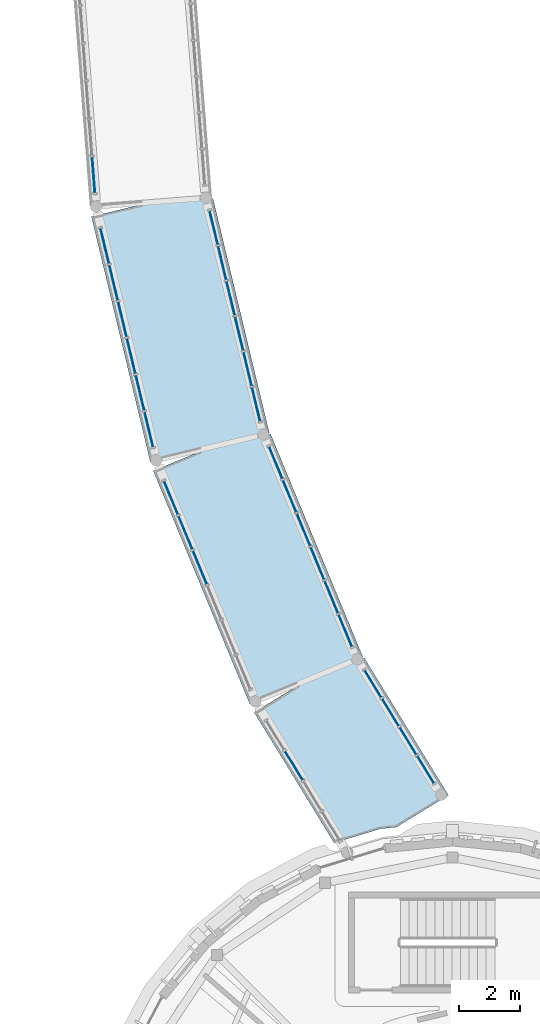
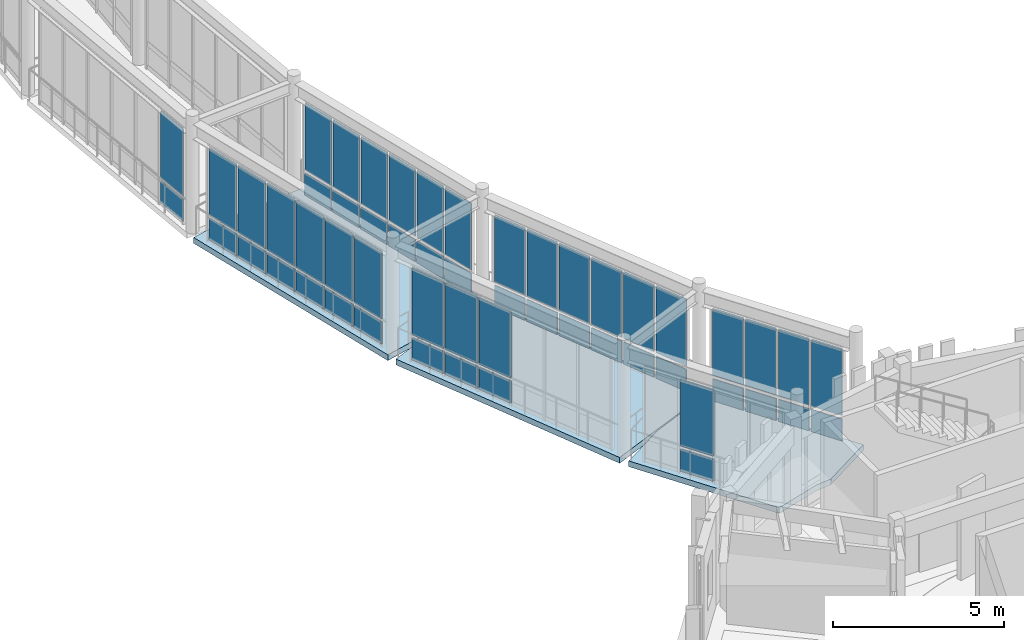
# One storey, part 39 of 80: 54 plates, 3 slabs, 7 elements without a shape of their own.
"""IFC4 building model written with IfcOpenShell, lengths in metres."""

from ifc_helpers import new_model, si_unit, direction, frame, origin, origin_2d, place, context, subcontext, project, spatial, polyline, rectangle, outline, extrude, material, layer, layer_set, type_object, element, aggregate, save


model = new_model("IFC4")

# Units and contexts
model_context = context("Model", 3, precision=1e-05, world=origin(), true_north=direction((0.0, 1.0)))
body_context = subcontext(model_context, "Body", "Model", "MODEL_VIEW")
ifc_project = project(units=[si_unit("LENGTHUNIT", "METRE"), si_unit("AREAUNIT", "SQUARE_METRE"), si_unit("VOLUMEUNIT", "CUBIC_METRE"), si_unit("PLANEANGLEUNIT", "RADIAN"), si_unit("MASSUNIT", "GRAM", prefix="KILO")], contexts=[model_context])

# Site, building, storey
site_placement = place(None, origin())
site = spatial("IfcSite", under=ifc_project, at=site_placement, CompositionType="ELEMENT")
building_placement = place(site_placement, origin())
building = spatial("IfcBuilding", under=site, at=building_placement, Name="Aldenvaro Health Centre", CompositionType="ELEMENT")
storey_placement = place(building_placement, frame((0.0, 0.0, 4.550048828125)))
storey = spatial("IfcBuildingStorey", under=building, at=storey_placement, Name="L01", CompositionType="ELEMENT", Elevation=4.550048828125)

# Curtain wall, plate
ifc_material_1 = material(Name="Anodised Aluminium 6063-T6", Category="aluminium")
ifc_layer_1 = layer(ifc_material_1, 0.2099609375, Name="Anodised Aluminium 6063-T6", Category="aluminium")
ifc_layer_set_1 = layer_set([ifc_layer_1], Name="Anodised Aluminium 6063-T6")
curtain_wall_type = type_object("IfcCurtainWallType", Name="CW-BRG-03", PredefinedType="NOTDEFINED", material=ifc_layer_set_1)
curtain_wall_1_placement = place(storey_placement, origin())
curtain_wall_1 = element("IfcCurtainWall", 1, at=curtain_wall_1_placement, inside=storey, type_object=curtain_wall_type, Name="East Curved Garden Colonnade Arc 5 L01 glazed link wall R-1.1", PredefinedType="NOTDEFINED")
ifc_material_2 = material(Name="Low-E Double Glazing IGU", Category="glass")
ifc_layer_2 = layer(ifc_material_2, 0.028076171875, Name="Low-E Double Glazing IGU", Category="glass")
ifc_layer_set_2 = layer_set([ifc_layer_2], Name="Low-E Double Glazing IGU")
plate_type_1 = type_object("IfcPlateType", Name="CWP-IGU-28", PredefinedType="CURTAIN_PANEL", material=ifc_layer_set_2)
plate_1_placement = place(storey_placement, frame((142.77099609375, 51.679931640625, 0.9599609375), z_axis=(0.0, 0.0, 1.0), x_axis=(0.078536330505, -0.996911252214, 0.0)))
plate_1 = element("IfcPlate", 2, at=plate_1_placement, type_object=plate_type_1, Name="East Curved Garden Colonnade Arc 5 L01 glazed link wall R-1.1 vision glazing 6", PredefinedType="CURTAIN_PANEL", context=body_context, shape_type="SweptSolid", body=[
    extrude(rectangle(XDim=1.1630859375, YDim=0.028076171875, at=origin_2d()), origin(), (0.0, 0.0, 1.0), 2.389892578125),
])

# Curtain wall, plates
curtain_wall_2_placement = place(storey_placement, origin())
curtain_wall_2 = element("IfcCurtainWall", 3, at=curtain_wall_2_placement, inside=storey, type_object=curtain_wall_type, Name="East Curved Garden Colonnade Arc 6 L01 glazed link wall L-1.1", PredefinedType="NOTDEFINED")
plate_2_placement = place(storey_placement, frame((146.697021484375, 49.9580078125, 0.9599609375), z_axis=(0.0, 0.0, 1.0), x_axis=(0.233510945903, -0.972354173202, 0.0)))
plate_2 = element("IfcPlate", 4, at=plate_2_placement, type_object=plate_type_1, Name="East Curved Garden Colonnade Arc 6 L01 glazed link wall L-1.1 vision glazing 1", PredefinedType="CURTAIN_PANEL", context=body_context, shape_type="SweptSolid", body=[
    extrude(rectangle(XDim=1.117919921875, YDim=0.028076171875, at=origin_2d()), origin(), (0.0, 0.0, 1.0), 2.389892578125),
])
plate_3_placement = place(storey_placement, frame((146.97412109375, 48.802978515625, 0.9599609375), z_axis=(0.0, 0.0, 1.0), x_axis=(0.233510945903, -0.972354173202, 0.0)))
plate_3 = element("IfcPlate", 5, at=plate_3_placement, type_object=plate_type_1, Name="East Curved Garden Colonnade Arc 6 L01 glazed link wall L-1.1 vision glazing 2", PredefinedType="CURTAIN_PANEL", context=body_context, shape_type="SweptSolid", body=[
    extrude(rectangle(XDim=1.117919921875, YDim=0.028076171875, at=origin_2d()), origin(), (0.0, 0.0, 1.0), 2.389892578125),
])
plate_4_placement = place(storey_placement, frame((147.2509765625, 47.64794921875, 0.9599609375), z_axis=(0.0, 0.0, 1.0), x_axis=(0.233510945903, -0.972354173202, 0.0)))
plate_4 = element("IfcPlate", 6, at=plate_4_placement, type_object=plate_type_1, Name="East Curved Garden Colonnade Arc 6 L01 glazed link wall L-1.1 vision glazing 3", PredefinedType="CURTAIN_PANEL", context=body_context, shape_type="SweptSolid", body=[
    extrude(rectangle(XDim=1.117919921875, YDim=0.028076171875, at=origin_2d()), origin(), (0.0, 0.0, 1.0), 2.389892578125),
])
plate_5_placement = place(storey_placement, frame((147.529052734375, 46.492919921875, 0.9599609375), z_axis=(0.0, 0.0, 1.0), x_axis=(0.233510945903, -0.972354173202, 0.0)))
plate_5 = element("IfcPlate", 7, at=plate_5_placement, type_object=plate_type_1, Name="East Curved Garden Colonnade Arc 6 L01 glazed link wall L-1.1 vision glazing 4", PredefinedType="CURTAIN_PANEL", context=body_context, shape_type="SweptSolid", body=[
    extrude(rectangle(XDim=1.117919921875, YDim=0.028076171875, at=origin_2d()), origin(), (0.0, 0.0, 1.0), 2.389892578125),
])
plate_6_placement = place(storey_placement, frame((147.805908203125, 45.337890625, 0.9599609375), z_axis=(0.0, 0.0, 1.0), x_axis=(0.233510945903, -0.972354173202, 0.0)))
plate_6 = element("IfcPlate", 8, at=plate_6_placement, type_object=plate_type_1, Name="East Curved Garden Colonnade Arc 6 L01 glazed link wall L-1.1 vision glazing 5", PredefinedType="CURTAIN_PANEL", context=body_context, shape_type="SweptSolid", body=[
    extrude(rectangle(XDim=1.117919921875, YDim=0.028076171875, at=origin_2d()), origin(), (0.0, 0.0, 1.0), 2.389892578125),
])
plate_7_placement = place(storey_placement, frame((148.0830078125, 44.18310546875, 0.9599609375), z_axis=(0.0, 0.0, 1.0), x_axis=(0.233510945903, -0.972354173202, 0.0)))
plate_7 = element("IfcPlate", 9, at=plate_7_placement, type_object=plate_type_1, Name="East Curved Garden Colonnade Arc 6 L01 glazed link wall L-1.1 vision glazing 6", PredefinedType="CURTAIN_PANEL", context=body_context, shape_type="SweptSolid", body=[
    extrude(rectangle(XDim=1.117919921875, YDim=0.028076171875, at=origin_2d()), origin(), (0.0, 0.0, 1.0), 2.389892578125),
])

curtain_wall_3_placement = place(storey_placement, origin())
curtain_wall_3 = element("IfcCurtainWall", 10, at=curtain_wall_3_placement, inside=storey, type_object=curtain_wall_type, Name="East Curved Garden Colonnade Arc 6 L01 glazed link wall R-1.1", PredefinedType="NOTDEFINED")
plate_8_placement = place(storey_placement, frame((143.137939453125, 49.35888671875, 0.9599609375), z_axis=(0.0, 0.0, 1.0), x_axis=(0.233587677429, -0.972335742917, 0.0)))
plate_8 = element("IfcPlate", 11, at=plate_8_placement, type_object=plate_type_1, Name="East Curved Garden Colonnade Arc 6 L01 glazed link wall R-1.1 vision glazing 1", PredefinedType="CURTAIN_PANEL", context=body_context, shape_type="SweptSolid", body=[
    extrude(rectangle(XDim=1.1630859375, YDim=0.028076171875, at=origin_2d()), origin(), (0.0, 0.0, 1.0), 2.389892578125),
])
plate_9_placement = place(storey_placement, frame((143.426025390625, 48.159912109375, 0.9599609375), z_axis=(0.0, 0.0, 1.0), x_axis=(0.233587677429, -0.972335742917, 0.0)))
plate_9 = element("IfcPlate", 12, at=plate_9_placement, type_object=plate_type_1, Name="East Curved Garden Colonnade Arc 6 L01 glazed link wall R-1.1 vision glazing 2", PredefinedType="CURTAIN_PANEL", context=body_context, shape_type="SweptSolid", body=[
    extrude(rectangle(XDim=1.1630859375, YDim=0.028076171875, at=origin_2d()), origin(), (0.0, 0.0, 1.0), 2.389892578125),
])
plate_10_placement = place(storey_placement, frame((143.714111328125, 46.9609375, 0.9599609375), z_axis=(0.0, 0.0, 1.0), x_axis=(0.233587677429, -0.972335742917, 0.0)))
plate_10 = element("IfcPlate", 13, at=plate_10_placement, type_object=plate_type_1, Name="East Curved Garden Colonnade Arc 6 L01 glazed link wall R-1.1 vision glazing 3", PredefinedType="CURTAIN_PANEL", context=body_context, shape_type="SweptSolid", body=[
    extrude(rectangle(XDim=1.1630859375, YDim=0.028076171875, at=origin_2d()), origin(), (0.0, 0.0, 1.0), 2.389892578125),
])
plate_11_placement = place(storey_placement, frame((144.001953125, 45.761962890625, 0.9599609375), z_axis=(0.0, 0.0, 1.0), x_axis=(0.233587677429, -0.972335742917, 0.0)))
plate_11 = element("IfcPlate", 14, at=plate_11_placement, type_object=plate_type_1, Name="East Curved Garden Colonnade Arc 6 L01 glazed link wall R-1.1 vision glazing 4", PredefinedType="CURTAIN_PANEL", context=body_context, shape_type="SweptSolid", body=[
    extrude(rectangle(XDim=1.1630859375, YDim=0.028076171875, at=origin_2d()), origin(), (0.0, 0.0, 1.0), 2.389892578125),
])
plate_12_placement = place(storey_placement, frame((144.2900390625, 44.56298828125, 0.9599609375), z_axis=(0.0, 0.0, 1.0), x_axis=(0.233587677429, -0.972335742917, 0.0)))
plate_12 = element("IfcPlate", 15, at=plate_12_placement, type_object=plate_type_1, Name="East Curved Garden Colonnade Arc 6 L01 glazed link wall R-1.1 vision glazing 5", PredefinedType="CURTAIN_PANEL", context=body_context, shape_type="SweptSolid", body=[
    extrude(rectangle(XDim=1.1630859375, YDim=0.028076171875, at=origin_2d()), origin(), (0.0, 0.0, 1.0), 2.389892578125),
])
plate_13_placement = place(storey_placement, frame((144.577880859375, 43.364013671875, 0.9599609375), z_axis=(0.0, 0.0, 1.0), x_axis=(0.233587677429, -0.972335742917, 0.0)))
plate_13 = element("IfcPlate", 16, at=plate_13_placement, type_object=plate_type_1, Name="East Curved Garden Colonnade Arc 6 L01 glazed link wall R-1.1 vision glazing 6", PredefinedType="CURTAIN_PANEL", context=body_context, shape_type="SweptSolid", body=[
    extrude(rectangle(XDim=1.1630859375, YDim=0.028076171875, at=origin_2d()), origin(), (0.0, 0.0, 1.0), 2.389892578125),
])

curtain_wall_4_placement = place(storey_placement, origin())
curtain_wall_4 = element("IfcCurtainWall", 17, at=curtain_wall_4_placement, inside=storey, type_object=curtain_wall_type, Name="East Curved Garden Colonnade Arc 7 L01 glazed link wall L-1.1", PredefinedType="NOTDEFINED")
plate_14_placement = place(storey_placement, frame((148.72412109375, 42.279052734375, 0.9599609375), z_axis=(0.0, 0.0, 1.0), x_axis=(0.382562426811, -0.923929645369, 0.0)))
plate_14 = element("IfcPlate", 18, at=plate_14_placement, type_object=plate_type_1, Name="East Curved Garden Colonnade Arc 7 L01 glazed link wall L-1.1 vision glazing 1", PredefinedType="CURTAIN_PANEL", context=body_context, shape_type="SweptSolid", body=[
    extrude(rectangle(XDim=1.117919921875, YDim=0.028076171875, at=origin_2d()), origin(), (0.0, 0.0, 1.0), 2.389892578125),
])
plate_15_placement = place(storey_placement, frame((149.178955078125, 41.180908203125, 0.9599609375), z_axis=(0.0, 0.0, 1.0), x_axis=(0.382562426811, -0.923929645369, 0.0)))
plate_15 = element("IfcPlate", 19, at=plate_15_placement, type_object=plate_type_1, Name="East Curved Garden Colonnade Arc 7 L01 glazed link wall L-1.1 vision glazing 2", PredefinedType="CURTAIN_PANEL", context=body_context, shape_type="SweptSolid", body=[
    extrude(rectangle(XDim=1.117919921875, YDim=0.028076171875, at=origin_2d()), origin(), (0.0, 0.0, 1.0), 2.389892578125),
])
plate_16_placement = place(storey_placement, frame((149.633056640625, 40.083984375, 0.9599609375), z_axis=(0.0, 0.0, 1.0), x_axis=(0.382562426811, -0.923929645369, 0.0)))
plate_16 = element("IfcPlate", 20, at=plate_16_placement, type_object=plate_type_1, Name="East Curved Garden Colonnade Arc 7 L01 glazed link wall L-1.1 vision glazing 3", PredefinedType="CURTAIN_PANEL", context=body_context, shape_type="SweptSolid", body=[
    extrude(rectangle(XDim=1.117919921875, YDim=0.028076171875, at=origin_2d()), origin(), (0.0, 0.0, 1.0), 2.389892578125),
])
plate_17_placement = place(storey_placement, frame((150.087890625, 38.986083984375, 0.9599609375), z_axis=(0.0, 0.0, 1.0), x_axis=(0.382562426811, -0.923929645369, 0.0)))
plate_17 = element("IfcPlate", 21, at=plate_17_placement, type_object=plate_type_1, Name="East Curved Garden Colonnade Arc 7 L01 glazed link wall L-1.1 vision glazing 4", PredefinedType="CURTAIN_PANEL", context=body_context, shape_type="SweptSolid", body=[
    extrude(rectangle(XDim=1.117919921875, YDim=0.028076171875, at=origin_2d()), origin(), (0.0, 0.0, 1.0), 2.389892578125),
])
plate_18_placement = place(storey_placement, frame((150.5419921875, 37.888916015625, 0.9599609375), z_axis=(0.0, 0.0, 1.0), x_axis=(0.382562426811, -0.923929645369, 0.0)))
plate_18 = element("IfcPlate", 22, at=plate_18_placement, type_object=plate_type_1, Name="East Curved Garden Colonnade Arc 7 L01 glazed link wall L-1.1 vision glazing 5", PredefinedType="CURTAIN_PANEL", context=body_context, shape_type="SweptSolid", body=[
    extrude(rectangle(XDim=1.117919921875, YDim=0.028076171875, at=origin_2d()), origin(), (0.0, 0.0, 1.0), 2.389892578125),
])
plate_19_placement = place(storey_placement, frame((150.9970703125, 36.791015625, 0.9599609375), z_axis=(0.0, 0.0, 1.0), x_axis=(0.382562426811, -0.923929645369, 0.0)))
plate_19 = element("IfcPlate", 23, at=plate_19_placement, type_object=plate_type_1, Name="East Curved Garden Colonnade Arc 7 L01 glazed link wall L-1.1 vision glazing 6", PredefinedType="CURTAIN_PANEL", context=body_context, shape_type="SweptSolid", body=[
    extrude(rectangle(XDim=1.117919921875, YDim=0.028076171875, at=origin_2d()), origin(), (0.0, 0.0, 1.0), 2.389892578125),
])

curtain_wall_5_placement = place(storey_placement, origin())
curtain_wall_5 = element("IfcCurtainWall", 24, at=curtain_wall_5_placement, inside=storey, type_object=curtain_wall_type, Name="East Curved Garden Colonnade Arc 7 L01 glazed link wall R-1.1", PredefinedType="NOTDEFINED")
plate_20_placement = place(storey_placement, frame((145.303955078125, 41.1298828125, 0.9599609375), z_axis=(0.0, 0.0, 1.0), x_axis=(0.382503002228, -0.923954248481, 0.0)))
plate_20 = element("IfcPlate", 25, at=plate_20_placement, type_object=plate_type_1, Name="East Curved Garden Colonnade Arc 7 L01 glazed link wall R-1.1 vision glazing 1", PredefinedType="CURTAIN_PANEL", context=body_context, shape_type="SweptSolid", body=[
    extrude(rectangle(XDim=1.1630859375, YDim=0.028076171875, at=origin_2d()), origin(), (0.0, 0.0, 1.0), 2.389892578125),
])
plate_21_placement = place(storey_placement, frame((145.77490234375, 39.990966796875, 0.9599609375), z_axis=(0.0, 0.0, 1.0), x_axis=(0.382503002228, -0.923954248481, 0.0)))
plate_21 = element("IfcPlate", 26, at=plate_21_placement, type_object=plate_type_1, Name="East Curved Garden Colonnade Arc 7 L01 glazed link wall R-1.1 vision glazing 2", PredefinedType="CURTAIN_PANEL", context=body_context, shape_type="SweptSolid", body=[
    extrude(rectangle(XDim=1.1630859375, YDim=0.028076171875, at=origin_2d()), origin(), (0.0, 0.0, 1.0), 2.389892578125),
])
plate_22_placement = place(storey_placement, frame((146.2470703125, 38.85205078125, 0.9599609375), z_axis=(0.0, 0.0, 1.0), x_axis=(0.382503002228, -0.923954248481, 0.0)))
plate_22 = element("IfcPlate", 27, at=plate_22_placement, type_object=plate_type_1, Name="East Curved Garden Colonnade Arc 7 L01 glazed link wall R-1.1 vision glazing 3", PredefinedType="CURTAIN_PANEL", context=body_context, shape_type="SweptSolid", body=[
    extrude(rectangle(XDim=1.1630859375, YDim=0.028076171875, at=origin_2d()), origin(), (0.0, 0.0, 1.0), 2.389892578125),
])

curtain_wall_6_placement = place(storey_placement, origin())
curtain_wall_6 = element("IfcCurtainWall", 28, at=curtain_wall_6_placement, inside=storey, type_object=curtain_wall_type, Name="East Curved Garden Colonnade Arc 8 L01 glazed link wall L-1.1", PredefinedType="NOTDEFINED")
plate_23_placement = place(storey_placement, frame((151.904052734375, 35.050048828125, 0.9599609375), z_axis=(0.0, 0.0, 1.0), x_axis=(0.522567413628, -0.852597969863, 0.0)))
plate_23 = element("IfcPlate", 29, at=plate_23_placement, type_object=plate_type_1, Name="East Curved Garden Colonnade Arc 8 L01 glazed link wall L-1.1 vision glazing 1", PredefinedType="CURTAIN_PANEL", context=body_context, shape_type="SweptSolid", body=[
    extrude(rectangle(XDim=1.02490234375, YDim=0.028076171875, at=origin_2d()), origin(), (0.0, 0.0, 1.0), 2.389892578125),
])
plate_24_placement = place(storey_placement, frame((152.47607421875, 34.116943359375, 0.9599609375), z_axis=(0.0, 0.0, 1.0), x_axis=(0.522567413628, -0.852597969863, 0.0)))
plate_24 = element("IfcPlate", 30, at=plate_24_placement, type_object=plate_type_1, Name="East Curved Garden Colonnade Arc 8 L01 glazed link wall L-1.1 vision glazing 2", PredefinedType="CURTAIN_PANEL", context=body_context, shape_type="SweptSolid", body=[
    extrude(rectangle(XDim=1.02490234375, YDim=0.028076171875, at=origin_2d()), origin(), (0.0, 0.0, 1.0), 2.389892578125),
])
plate_25_placement = place(storey_placement, frame((153.048095703125, 33.18408203125, 0.9599609375), z_axis=(0.0, 0.0, 1.0), x_axis=(0.522567413628, -0.852597969863, 0.0)))
plate_25 = element("IfcPlate", 31, at=plate_25_placement, type_object=plate_type_1, Name="East Curved Garden Colonnade Arc 8 L01 glazed link wall L-1.1 vision glazing 3", PredefinedType="CURTAIN_PANEL", context=body_context, shape_type="SweptSolid", body=[
    extrude(rectangle(XDim=1.02490234375, YDim=0.028076171875, at=origin_2d()), origin(), (0.0, 0.0, 1.0), 2.389892578125),
])
plate_26_placement = place(storey_placement, frame((153.6201171875, 32.2509765625, 0.9599609375), z_axis=(0.0, 0.0, 1.0), x_axis=(0.522567413628, -0.852597969863, 0.0)))
plate_26 = element("IfcPlate", 32, at=plate_26_placement, type_object=plate_type_1, Name="East Curved Garden Colonnade Arc 8 L01 glazed link wall L-1.1 vision glazing 4", PredefinedType="CURTAIN_PANEL", context=body_context, shape_type="SweptSolid", body=[
    extrude(rectangle(XDim=1.02490234375, YDim=0.028076171875, at=origin_2d()), origin(), (0.0, 0.0, 1.0), 2.389892578125),
])

# Curtain wall, plate
curtain_wall_7_placement = place(storey_placement, origin())
curtain_wall_7 = element("IfcCurtainWall", 33, at=curtain_wall_7_placement, inside=storey, type_object=curtain_wall_type, Name="East Curved Garden Colonnade Arc 8 L01 glazed link wall R-1.1", PredefinedType="NOTDEFINED")
plate_27_placement = place(storey_placement, frame((149.318115234375, 32.3798828125, 0.9599609375), z_axis=(0.0, 0.0, 1.0), x_axis=(0.522476308425, -0.852653802627, 0.0)))
plate_27 = element("IfcPlate", 34, at=plate_27_placement, type_object=plate_type_1, Name="East Curved Garden Colonnade Arc 8 L01 glazed link wall R-1.1 vision glazing 2", PredefinedType="CURTAIN_PANEL", context=body_context, shape_type="SweptSolid", body=[
    extrude(rectangle(XDim=1.092041015625, YDim=0.028076171875, at=origin_2d()), origin(), (0.0, 0.0, 1.0), 2.389892578125),
])

# Plate
ifc_material_3 = material(Name="Insulated Aluminium Spandrel", Category="aluminium")
ifc_layer_3 = layer(ifc_material_3, 0.035888671875, Name="Insulated Aluminium Spandrel", Category="aluminium")
ifc_layer_set_3 = layer_set([ifc_layer_3], Name="Insulated Aluminium Spandrel")
plate_type_2 = type_object("IfcPlateType", Name="CWP-SPN-36", PredefinedType="CURTAIN_PANEL", material=ifc_layer_set_3)
plate_28_placement = place(storey_placement, frame((142.77099609375, 51.679931640625, 0.06005859375), z_axis=(0.0, 0.0, 1.0), x_axis=(0.078536330505, -0.996911252214, 0.0)))
plate_28 = element("IfcPlate", 35, at=plate_28_placement, type_object=plate_type_2, Name="East Curved Garden Colonnade Arc 5 L01 glazed link wall R-1.1 spandrel panel 6", PredefinedType="CURTAIN_PANEL", context=body_context, shape_type="SweptSolid", body=[
    extrude(rectangle(XDim=1.1630859375, YDim=0.035888671875, at=origin_2d()), origin(), (0.0, 0.0, 1.0), 0.780029296875),
])

aggregate(curtain_wall_1, [plate_28, plate_1])

plate_29_placement = place(storey_placement, frame((146.697021484375, 49.9580078125, 0.06005859375), z_axis=(0.0, 0.0, 1.0), x_axis=(0.233510945903, -0.972354173202, 0.0)))
plate_29 = element("IfcPlate", 36, at=plate_29_placement, type_object=plate_type_2, Name="East Curved Garden Colonnade Arc 6 L01 glazed link wall L-1.1 spandrel panel 1", PredefinedType="CURTAIN_PANEL", context=body_context, shape_type="SweptSolid", body=[
    extrude(rectangle(XDim=1.117919921875, YDim=0.035888671875, at=origin_2d()), origin(), (0.0, 0.0, 1.0), 0.780029296875),
])

plate_30_placement = place(storey_placement, frame((146.97412109375, 48.802978515625, 0.06005859375), z_axis=(0.0, 0.0, 1.0), x_axis=(0.233510945903, -0.972354173202, 0.0)))
plate_30 = element("IfcPlate", 37, at=plate_30_placement, type_object=plate_type_2, Name="East Curved Garden Colonnade Arc 6 L01 glazed link wall L-1.1 spandrel panel 2", PredefinedType="CURTAIN_PANEL", context=body_context, shape_type="SweptSolid", body=[
    extrude(rectangle(XDim=1.117919921875, YDim=0.035888671875, at=origin_2d()), origin(), (0.0, 0.0, 1.0), 0.780029296875),
])

plate_31_placement = place(storey_placement, frame((147.2509765625, 47.64794921875, 0.06005859375), z_axis=(0.0, 0.0, 1.0), x_axis=(0.233510945903, -0.972354173202, 0.0)))
plate_31 = element("IfcPlate", 38, at=plate_31_placement, type_object=plate_type_2, Name="East Curved Garden Colonnade Arc 6 L01 glazed link wall L-1.1 spandrel panel 3", PredefinedType="CURTAIN_PANEL", context=body_context, shape_type="SweptSolid", body=[
    extrude(rectangle(XDim=1.117919921875, YDim=0.035888671875, at=origin_2d()), origin(), (0.0, 0.0, 1.0), 0.780029296875),
])

plate_32_placement = place(storey_placement, frame((147.529052734375, 46.492919921875, 0.06005859375), z_axis=(0.0, 0.0, 1.0), x_axis=(0.233510945903, -0.972354173202, 0.0)))
plate_32 = element("IfcPlate", 39, at=plate_32_placement, type_object=plate_type_2, Name="East Curved Garden Colonnade Arc 6 L01 glazed link wall L-1.1 spandrel panel 4", PredefinedType="CURTAIN_PANEL", context=body_context, shape_type="SweptSolid", body=[
    extrude(rectangle(XDim=1.117919921875, YDim=0.035888671875, at=origin_2d()), origin(), (0.0, 0.0, 1.0), 0.780029296875),
])

plate_33_placement = place(storey_placement, frame((147.805908203125, 45.337890625, 0.06005859375), z_axis=(0.0, 0.0, 1.0), x_axis=(0.233510945903, -0.972354173202, 0.0)))
plate_33 = element("IfcPlate", 40, at=plate_33_placement, type_object=plate_type_2, Name="East Curved Garden Colonnade Arc 6 L01 glazed link wall L-1.1 spandrel panel 5", PredefinedType="CURTAIN_PANEL", context=body_context, shape_type="SweptSolid", body=[
    extrude(rectangle(XDim=1.117919921875, YDim=0.035888671875, at=origin_2d()), origin(), (0.0, 0.0, 1.0), 0.780029296875),
])

plate_34_placement = place(storey_placement, frame((148.0830078125, 44.18310546875, 0.06005859375), z_axis=(0.0, 0.0, 1.0), x_axis=(0.233510945903, -0.972354173202, 0.0)))
plate_34 = element("IfcPlate", 41, at=plate_34_placement, type_object=plate_type_2, Name="East Curved Garden Colonnade Arc 6 L01 glazed link wall L-1.1 spandrel panel 6", PredefinedType="CURTAIN_PANEL", context=body_context, shape_type="SweptSolid", body=[
    extrude(rectangle(XDim=1.117919921875, YDim=0.035888671875, at=origin_2d()), origin(), (0.0, 0.0, 1.0), 0.780029296875),
])

aggregate(curtain_wall_2, [plate_29, plate_2, plate_30, plate_3, plate_31, plate_4, plate_32, plate_5, plate_33, plate_6, plate_34, plate_7])

plate_35_placement = place(storey_placement, frame((143.137939453125, 49.35888671875, 0.06005859375), z_axis=(0.0, 0.0, 1.0), x_axis=(0.233587677429, -0.972335742917, 0.0)))
plate_35 = element("IfcPlate", 42, at=plate_35_placement, type_object=plate_type_2, Name="East Curved Garden Colonnade Arc 6 L01 glazed link wall R-1.1 spandrel panel 1", PredefinedType="CURTAIN_PANEL", context=body_context, shape_type="SweptSolid", body=[
    extrude(rectangle(XDim=1.1630859375, YDim=0.035888671875, at=origin_2d()), origin(), (0.0, 0.0, 1.0), 0.780029296875),
])

plate_36_placement = place(storey_placement, frame((143.426025390625, 48.159912109375, 0.06005859375), z_axis=(0.0, 0.0, 1.0), x_axis=(0.233587677429, -0.972335742917, 0.0)))
plate_36 = element("IfcPlate", 43, at=plate_36_placement, type_object=plate_type_2, Name="East Curved Garden Colonnade Arc 6 L01 glazed link wall R-1.1 spandrel panel 2", PredefinedType="CURTAIN_PANEL", context=body_context, shape_type="SweptSolid", body=[
    extrude(rectangle(XDim=1.1630859375, YDim=0.035888671875, at=origin_2d()), origin(), (0.0, 0.0, 1.0), 0.780029296875),
])

plate_37_placement = place(storey_placement, frame((143.714111328125, 46.9609375, 0.06005859375), z_axis=(0.0, 0.0, 1.0), x_axis=(0.233587677429, -0.972335742917, 0.0)))
plate_37 = element("IfcPlate", 44, at=plate_37_placement, type_object=plate_type_2, Name="East Curved Garden Colonnade Arc 6 L01 glazed link wall R-1.1 spandrel panel 3", PredefinedType="CURTAIN_PANEL", context=body_context, shape_type="SweptSolid", body=[
    extrude(rectangle(XDim=1.1630859375, YDim=0.035888671875, at=origin_2d()), origin(), (0.0, 0.0, 1.0), 0.780029296875),
])

plate_38_placement = place(storey_placement, frame((144.001953125, 45.761962890625, 0.06005859375), z_axis=(0.0, 0.0, 1.0), x_axis=(0.233587677429, -0.972335742917, 0.0)))
plate_38 = element("IfcPlate", 45, at=plate_38_placement, type_object=plate_type_2, Name="East Curved Garden Colonnade Arc 6 L01 glazed link wall R-1.1 spandrel panel 4", PredefinedType="CURTAIN_PANEL", context=body_context, shape_type="SweptSolid", body=[
    extrude(rectangle(XDim=1.1630859375, YDim=0.035888671875, at=origin_2d()), origin(), (0.0, 0.0, 1.0), 0.780029296875),
])

plate_39_placement = place(storey_placement, frame((144.2900390625, 44.56298828125, 0.06005859375), z_axis=(0.0, 0.0, 1.0), x_axis=(0.233587677429, -0.972335742917, 0.0)))
plate_39 = element("IfcPlate", 46, at=plate_39_placement, type_object=plate_type_2, Name="East Curved Garden Colonnade Arc 6 L01 glazed link wall R-1.1 spandrel panel 5", PredefinedType="CURTAIN_PANEL", context=body_context, shape_type="SweptSolid", body=[
    extrude(rectangle(XDim=1.1630859375, YDim=0.035888671875, at=origin_2d()), origin(), (0.0, 0.0, 1.0), 0.780029296875),
])

plate_40_placement = place(storey_placement, frame((144.577880859375, 43.364013671875, 0.06005859375), z_axis=(0.0, 0.0, 1.0), x_axis=(0.233587677429, -0.972335742917, 0.0)))
plate_40 = element("IfcPlate", 47, at=plate_40_placement, type_object=plate_type_2, Name="East Curved Garden Colonnade Arc 6 L01 glazed link wall R-1.1 spandrel panel 6", PredefinedType="CURTAIN_PANEL", context=body_context, shape_type="SweptSolid", body=[
    extrude(rectangle(XDim=1.1630859375, YDim=0.035888671875, at=origin_2d()), origin(), (0.0, 0.0, 1.0), 0.780029296875),
])

aggregate(curtain_wall_3, [plate_35, plate_8, plate_36, plate_9, plate_37, plate_10, plate_38, plate_11, plate_39, plate_12, plate_40, plate_13])

plate_41_placement = place(storey_placement, frame((148.72412109375, 42.279052734375, 0.06005859375), z_axis=(0.0, 0.0, 1.0), x_axis=(0.382562426811, -0.923929645369, 0.0)))
plate_41 = element("IfcPlate", 48, at=plate_41_placement, type_object=plate_type_2, Name="East Curved Garden Colonnade Arc 7 L01 glazed link wall L-1.1 spandrel panel 1", PredefinedType="CURTAIN_PANEL", context=body_context, shape_type="SweptSolid", body=[
    extrude(rectangle(XDim=1.117919921875, YDim=0.035888671875, at=origin_2d()), origin(), (0.0, 0.0, 1.0), 0.780029296875),
])

plate_42_placement = place(storey_placement, frame((149.178955078125, 41.180908203125, 0.06005859375), z_axis=(0.0, 0.0, 1.0), x_axis=(0.382562426811, -0.923929645369, 0.0)))
plate_42 = element("IfcPlate", 49, at=plate_42_placement, type_object=plate_type_2, Name="East Curved Garden Colonnade Arc 7 L01 glazed link wall L-1.1 spandrel panel 2", PredefinedType="CURTAIN_PANEL", context=body_context, shape_type="SweptSolid", body=[
    extrude(rectangle(XDim=1.117919921875, YDim=0.035888671875, at=origin_2d()), origin(), (0.0, 0.0, 1.0), 0.780029296875),
])

plate_43_placement = place(storey_placement, frame((149.633056640625, 40.083984375, 0.06005859375), z_axis=(0.0, 0.0, 1.0), x_axis=(0.382562426811, -0.923929645369, 0.0)))
plate_43 = element("IfcPlate", 50, at=plate_43_placement, type_object=plate_type_2, Name="East Curved Garden Colonnade Arc 7 L01 glazed link wall L-1.1 spandrel panel 3", PredefinedType="CURTAIN_PANEL", context=body_context, shape_type="SweptSolid", body=[
    extrude(rectangle(XDim=1.117919921875, YDim=0.035888671875, at=origin_2d()), origin(), (0.0, 0.0, 1.0), 0.780029296875),
])

plate_44_placement = place(storey_placement, frame((150.087890625, 38.986083984375, 0.06005859375), z_axis=(0.0, 0.0, 1.0), x_axis=(0.382562426811, -0.923929645369, 0.0)))
plate_44 = element("IfcPlate", 51, at=plate_44_placement, type_object=plate_type_2, Name="East Curved Garden Colonnade Arc 7 L01 glazed link wall L-1.1 spandrel panel 4", PredefinedType="CURTAIN_PANEL", context=body_context, shape_type="SweptSolid", body=[
    extrude(rectangle(XDim=1.117919921875, YDim=0.035888671875, at=origin_2d()), origin(), (0.0, 0.0, 1.0), 0.780029296875),
])

plate_45_placement = place(storey_placement, frame((150.5419921875, 37.888916015625, 0.06005859375), z_axis=(0.0, 0.0, 1.0), x_axis=(0.382562426811, -0.923929645369, 0.0)))
plate_45 = element("IfcPlate", 52, at=plate_45_placement, type_object=plate_type_2, Name="East Curved Garden Colonnade Arc 7 L01 glazed link wall L-1.1 spandrel panel 5", PredefinedType="CURTAIN_PANEL", context=body_context, shape_type="SweptSolid", body=[
    extrude(rectangle(XDim=1.117919921875, YDim=0.035888671875, at=origin_2d()), origin(), (0.0, 0.0, 1.0), 0.780029296875),
])

plate_46_placement = place(storey_placement, frame((150.9970703125, 36.791015625, 0.06005859375), z_axis=(0.0, 0.0, 1.0), x_axis=(0.382562426811, -0.923929645369, 0.0)))
plate_46 = element("IfcPlate", 53, at=plate_46_placement, type_object=plate_type_2, Name="East Curved Garden Colonnade Arc 7 L01 glazed link wall L-1.1 spandrel panel 6", PredefinedType="CURTAIN_PANEL", context=body_context, shape_type="SweptSolid", body=[
    extrude(rectangle(XDim=1.117919921875, YDim=0.035888671875, at=origin_2d()), origin(), (0.0, 0.0, 1.0), 0.780029296875),
])

aggregate(curtain_wall_4, [plate_41, plate_14, plate_42, plate_15, plate_43, plate_16, plate_44, plate_17, plate_45, plate_18, plate_46, plate_19])

plate_47_placement = place(storey_placement, frame((145.303955078125, 41.1298828125, 0.06005859375), z_axis=(0.0, 0.0, 1.0), x_axis=(0.382503002228, -0.923954248481, 0.0)))
plate_47 = element("IfcPlate", 54, at=plate_47_placement, type_object=plate_type_2, Name="East Curved Garden Colonnade Arc 7 L01 glazed link wall R-1.1 spandrel panel 1", PredefinedType="CURTAIN_PANEL", context=body_context, shape_type="SweptSolid", body=[
    extrude(rectangle(XDim=1.1630859375, YDim=0.035888671875, at=origin_2d()), origin(), (0.0, 0.0, 1.0), 0.780029296875),
])

plate_48_placement = place(storey_placement, frame((145.77490234375, 39.990966796875, 0.06005859375), z_axis=(0.0, 0.0, 1.0), x_axis=(0.382503002228, -0.923954248481, 0.0)))
plate_48 = element("IfcPlate", 55, at=plate_48_placement, type_object=plate_type_2, Name="East Curved Garden Colonnade Arc 7 L01 glazed link wall R-1.1 spandrel panel 2", PredefinedType="CURTAIN_PANEL", context=body_context, shape_type="SweptSolid", body=[
    extrude(rectangle(XDim=1.1630859375, YDim=0.035888671875, at=origin_2d()), origin(), (0.0, 0.0, 1.0), 0.780029296875),
])

plate_49_placement = place(storey_placement, frame((146.2470703125, 38.85205078125, 0.06005859375), z_axis=(0.0, 0.0, 1.0), x_axis=(0.382503002228, -0.923954248481, 0.0)))
plate_49 = element("IfcPlate", 56, at=plate_49_placement, type_object=plate_type_2, Name="East Curved Garden Colonnade Arc 7 L01 glazed link wall R-1.1 spandrel panel 3", PredefinedType="CURTAIN_PANEL", context=body_context, shape_type="SweptSolid", body=[
    extrude(rectangle(XDim=1.1630859375, YDim=0.035888671875, at=origin_2d()), origin(), (0.0, 0.0, 1.0), 0.780029296875),
])

aggregate(curtain_wall_5, [plate_47, plate_20, plate_48, plate_21, plate_49, plate_22])

plate_50_placement = place(storey_placement, frame((151.904052734375, 35.050048828125, 0.06005859375), z_axis=(0.0, 0.0, 1.0), x_axis=(0.522567413628, -0.852597969863, 0.0)))
plate_50 = element("IfcPlate", 57, at=plate_50_placement, type_object=plate_type_2, Name="East Curved Garden Colonnade Arc 8 L01 glazed link wall L-1.1 spandrel panel 1", PredefinedType="CURTAIN_PANEL", context=body_context, shape_type="SweptSolid", body=[
    extrude(rectangle(XDim=1.02490234375, YDim=0.035888671875, at=origin_2d()), origin(), (0.0, 0.0, 1.0), 0.780029296875),
])

plate_51_placement = place(storey_placement, frame((152.47607421875, 34.116943359375, 0.06005859375), z_axis=(0.0, 0.0, 1.0), x_axis=(0.522567413628, -0.852597969863, 0.0)))
plate_51 = element("IfcPlate", 58, at=plate_51_placement, type_object=plate_type_2, Name="East Curved Garden Colonnade Arc 8 L01 glazed link wall L-1.1 spandrel panel 2", PredefinedType="CURTAIN_PANEL", context=body_context, shape_type="SweptSolid", body=[
    extrude(rectangle(XDim=1.02490234375, YDim=0.035888671875, at=origin_2d()), origin(), (0.0, 0.0, 1.0), 0.780029296875),
])

plate_52_placement = place(storey_placement, frame((153.048095703125, 33.18408203125, 0.06005859375), z_axis=(0.0, 0.0, 1.0), x_axis=(0.522567413628, -0.852597969863, 0.0)))
plate_52 = element("IfcPlate", 59, at=plate_52_placement, type_object=plate_type_2, Name="East Curved Garden Colonnade Arc 8 L01 glazed link wall L-1.1 spandrel panel 3", PredefinedType="CURTAIN_PANEL", context=body_context, shape_type="SweptSolid", body=[
    extrude(rectangle(XDim=1.02490234375, YDim=0.035888671875, at=origin_2d()), origin(), (0.0, 0.0, 1.0), 0.780029296875),
])

plate_53_placement = place(storey_placement, frame((153.6201171875, 32.2509765625, 0.06005859375), z_axis=(0.0, 0.0, 1.0), x_axis=(0.522567413628, -0.852597969863, 0.0)))
plate_53 = element("IfcPlate", 60, at=plate_53_placement, type_object=plate_type_2, Name="East Curved Garden Colonnade Arc 8 L01 glazed link wall L-1.1 spandrel panel 4", PredefinedType="CURTAIN_PANEL", context=body_context, shape_type="SweptSolid", body=[
    extrude(rectangle(XDim=1.02490234375, YDim=0.035888671875, at=origin_2d()), origin(), (0.0, 0.0, 1.0), 0.780029296875),
])

aggregate(curtain_wall_6, [plate_50, plate_23, plate_51, plate_24, plate_52, plate_25, plate_53, plate_26])

plate_54_placement = place(storey_placement, frame((149.318115234375, 32.3798828125, 0.06005859375), z_axis=(0.0, 0.0, 1.0), x_axis=(0.522476308425, -0.852653802627, 0.0)))
plate_54 = element("IfcPlate", 61, at=plate_54_placement, type_object=plate_type_2, Name="East Curved Garden Colonnade Arc 8 L01 glazed link wall R-1.1 spandrel panel 2", PredefinedType="CURTAIN_PANEL", context=body_context, shape_type="SweptSolid", body=[
    extrude(rectangle(XDim=1.092041015625, YDim=0.035888671875, at=origin_2d()), origin(), (0.0, 0.0, 1.0), 0.780029296875),
])

aggregate(curtain_wall_7, [plate_54, plate_27])

# Slabs
ifc_material_4 = material(Name="Cross-laminated timber CLT E1", Category="wood")
ifc_layer_4 = layer(ifc_material_4, 0.205078125, Name="Cross-laminated timber CLT E1", Category="wood")
ifc_layer_set_4 = layer_set([ifc_layer_4], Name="Cross-laminated timber CLT E1")
slab_type = type_object("IfcSlabType", Name="SLB-CLT-205", PredefinedType="FLOOR", material=ifc_layer_set_4)
slab_1_placement = place(storey_placement, frame((0.0, 0.0, -0.205078125)))
element("IfcSlab", 62, at=slab_1_placement, inside=storey, type_object=slab_type, Name="East Curved Garden Colonnade Arc 6 L01 deck slab", PredefinedType="FLOOR", context=body_context, shape_type="SweptSolid", body=[
    extrude(outline(polyline([(148.514892578125, 43.243896484375), (144.625, 42.31005859375), (142.700927734375, 50.320068359375), (144.39697265625, 50.72705078125), (146.674072265625, 50.906982421875), (148.514892578125, 43.243896484375)])), origin(), (0.0, 0.0, 1.0), 0.205078125),
])
slab_2_placement = place(storey_placement, frame((0.0, 0.0, -0.205078125)))
element("IfcSlab", 63, at=slab_2_placement, inside=storey, type_object=slab_type, Name="East Curved Garden Colonnade Arc 7 L01 deck slab", PredefinedType="FLOOR", context=body_context, shape_type="SweptSolid", body=[
    extrude(outline(polyline([(151.570068359375, 35.929931640625), (147.8740234375, 34.39990234375), (144.721923828125, 42.011962890625), (146.333984375, 42.678955078125), (148.553955078125, 43.2119140625), (151.570068359375, 35.929931640625)])), origin(), (0.0, 0.0, 1.0), 0.205078125),
])
slab_3_placement = place(storey_placement, frame((0.0, 0.0, -0.205078125)))
element("IfcSlab", 64, at=slab_3_placement, inside=storey, type_object=slab_type, Name="East Curved Garden Colonnade Arc 8 L01 deck slab", PredefinedType="FLOOR", context=body_context, shape_type="SweptSolid", body=[
    extrude(outline(polyline([(148.01708984375, 34.1201171875), (149.50390625, 35.031982421875), (151.614013671875, 35.905029296875), (154.366943359375, 31.4140625), (152.662109375, 30.368896484375), (152.14892578125, 30.318115234375), (150.62890625, 29.85693359375), (148.01708984375, 34.1201171875)])), origin(), (0.0, 0.0, 1.0), 0.205078125),
])

save(model, "model.ifc")
